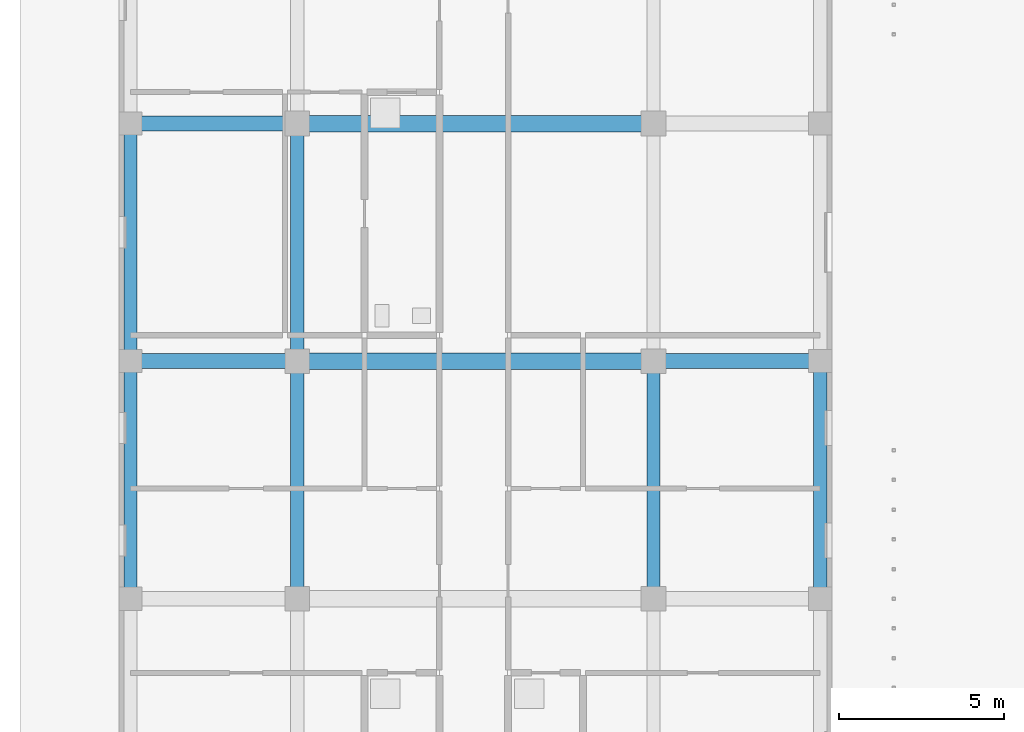
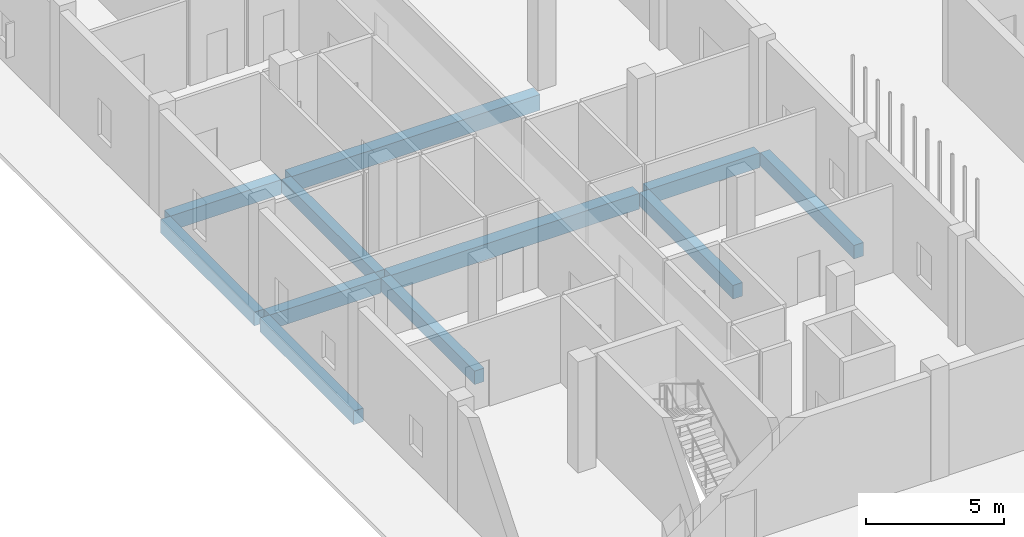
# One storey, part 5 of 85: 11 beams.
"""IFC4 building model written with IfcOpenShell, lengths in metres."""

import ifcopenshell
import ifcopenshell.guid

model = None  # the IFC model being written
_history = None  # IfcOwnerHistory: only IFC2X3 demands one
_inside = {}  # id of a spatial element -> (the spatial element, [elements in it])
_under = {}  # id of a project, library or spatial element -> (it, [spatial elements below it])
_declared = {}  # id of a project -> (the project, [libraries it declares])
_typed = {}  # id of a type object -> (the type object, [elements of that type])
_made_of = {}  # id of a material, layer set ... -> (it, [elements and type objects made of it])


def new_model(schema):
    """Start an empty IFC model of exactly this schema.

    Asked for "IFC4X3", IfcOpenShell would pick the latest addendum, in which some entities
    have other attributes; the version numbers below select the first issue.
    IFC2X3 requires an IfcOwnerHistory on every rooted entity: one is made here for all.
    """
    global model, _history
    if schema == "IFC4X3":
        model = ifcopenshell.file(schema_version=(4, 3, 0, 0))
    else:
        model = ifcopenshell.file(schema=schema)
    _inside.clear()
    _under.clear()
    _declared.clear()
    _typed.clear()
    _made_of.clear()
    _history = None
    if model.schema == "IFC2X3":
        org = make("IfcOrganization", Name="unknown")
        user = make(
            "IfcPersonAndOrganization",
            ThePerson=make("IfcPerson", FamilyName="unknown"),
            TheOrganization=org,
        )
        app = make(
            "IfcApplication",
            ApplicationDeveloper=org,
            Version="unknown",
            ApplicationFullName="unknown",
            ApplicationIdentifier="unknown",
        )
        _history = make(
            "IfcOwnerHistory",
            OwningUser=user,
            OwningApplication=app,
            ChangeAction="ADDED",
            CreationDate=0,
        )
    return model


def make(cls, **values):
    """One entity of the class cls with the attributes given. An attribute that is None is left unset."""
    return model.create_entity(
        cls, **{name: value for name, value in values.items() if value is not None}
    )


def rooted(cls, **values):
    """An entity with a GlobalId (a new one), such as an element, a storey or a relation."""
    return make(cls, GlobalId=ifcopenshell.guid.new(), OwnerHistory=_history, **values)


def si_unit(unit_type, name, prefix=None):
    """IfcSIUnit, for example si_unit("LENGTHUNIT", "METRE", prefix="MILLI")."""
    return make("IfcSIUnit", UnitType=unit_type, Prefix=prefix, Name=name)


def derived_unit(unit_type, elements):
    """IfcDerivedUnit: a product of units, each with its exponent."""
    return make(
        "IfcDerivedUnit",
        Elements=[
            make("IfcDerivedUnitElement", Unit=unit, Exponent=power)
            for unit, power in elements
        ],
        UnitType=unit_type,
    )


def assignment(units):
    """IfcUnitAssignment: the units of a project."""
    return None if units is None else make("IfcUnitAssignment", Units=units)


def point(xyz):
    """IfcCartesianPoint."""
    return None if xyz is None else make("IfcCartesianPoint", Coordinates=xyz)


def direction(xyz):
    """IfcDirection."""
    return None if xyz is None else make("IfcDirection", DirectionRatios=xyz)


def frame(location, z_axis=None, x_axis=None):
    """IfcAxis2Placement3D, a coordinate frame: its origin and axes. An axis left out is left unset."""
    return make(
        "IfcAxis2Placement3D",
        Location=point(location),
        Axis=direction(z_axis),
        RefDirection=direction(x_axis),
    )


def frame_2d(location, x_axis=None):
    """IfcAxis2Placement2D, a coordinate frame in the plane: its origin and x axis."""
    return make(
        "IfcAxis2Placement2D", Location=point(location), RefDirection=direction(x_axis)
    )


def origin():
    """The frame at (0, 0, 0) with its axes left unset."""
    return frame((0.0, 0.0, 0.0))


def origin_2d():
    """The frame at (0, 0) in the plane with its x axis left unset."""
    return frame_2d((0.0, 0.0))


def place(relative_to, where):
    """IfcLocalPlacement: puts the frame where relative to a parent placement (None: the world)."""
    return make(
        "IfcLocalPlacement", PlacementRelTo=relative_to, RelativePlacement=where
    )


def context(
    kind, dimensions, precision=None, world=None, true_north=None, identifier=None
):
    """IfcGeometricRepresentationContext, for example the 3D "Model" context."""
    return make(
        "IfcGeometricRepresentationContext",
        ContextIdentifier=identifier,
        ContextType=kind,
        CoordinateSpaceDimension=dimensions,
        Precision=precision,
        WorldCoordinateSystem=world,
        TrueNorth=true_north,
    )


def subcontext(parent, identifier, kind, view, scale=None):
    """IfcGeometricRepresentationSubContext, for example "Body" below "Model"."""
    return make(
        "IfcGeometricRepresentationSubContext",
        ContextIdentifier=identifier,
        ContextType=kind,
        ParentContext=parent,
        TargetScale=scale,
        TargetView=view,
    )


def project(units=None, contexts=None):
    """IfcProject with its units and contexts."""
    return rooted(
        "IfcProject",
        Name="project",
        RepresentationContexts=contexts,
        UnitsInContext=assignment(units),
    )


def spatial(cls, under=None, at=None, **own):
    """A site, building, storey or space (cls), placed at a placement, below another one or the project."""
    s = rooted(cls, ObjectPlacement=at, **own)
    if under is not None:
        _under.setdefault(under.id(), (under, []))[1].append(s)
    return s


def profile(cls, at=None, kind="AREA", **sizes):
    """A parametric profile (cls). Its sizes go by their IFC names, for example OverallWidth=200.0."""
    return make(cls, ProfileType=kind, Position=at, **sizes)


def rectangle(**sizes):
    """IfcRectangleProfileDef."""
    return profile("IfcRectangleProfileDef", **sizes)


def extrude(swept, where, along, depth):
    """IfcExtrudedAreaSolid: the profile swept, set in the frame where, extruded along a direction by depth."""
    return make(
        "IfcExtrudedAreaSolid",
        SweptArea=swept,
        Position=where,
        ExtrudedDirection=direction(along),
        Depth=depth,
    )


def shape(context_of_items, identifier, shape_type, items):
    """IfcShapeRepresentation: the items that make up one representation, for example the "Body"."""
    return make(
        "IfcShapeRepresentation",
        ContextOfItems=context_of_items,
        RepresentationIdentifier=identifier,
        RepresentationType=shape_type,
        Items=items,
    )


def material(Name=None, Category=None):
    """IfcMaterial."""
    return make("IfcMaterial", Name=Name, Category=Category)


def material_profile(
    of_material, cross_section, Name=None, Category=None, Priority=None
):
    """IfcMaterialProfile: a cross section and its material."""
    return make(
        "IfcMaterialProfile",
        Name=Name,
        Material=of_material,
        Profile=cross_section,
        Priority=Priority,
        Category=Category,
    )


def profile_set(profiles, Name=None, composite=None):
    """IfcMaterialProfileSet."""
    return make(
        "IfcMaterialProfileSet",
        Name=Name,
        MaterialProfiles=profiles,
        CompositeProfile=composite,
    )


def made_of(thing, what):
    """Note that an element or type object is made of a material, layer set ...; save() writes the relation."""
    if what is not None:
        _made_of.setdefault(what.id(), (what, []))[1].append(thing)
    return thing


def type_object(cls, material=None, **own):
    """A type object (cls), such as IfcWallType, which elements share."""
    return made_of(rooted(cls, **own), material)


def element(
    cls,
    number,
    at=None,
    inside=None,
    cuts=None,
    type_object=None,
    material=None,
    context=None,
    identifier="Body",
    shape_type=None,
    held_by="IfcProductDefinitionShape",
    body=None,
    shapes=None,
    **own,
):
    """One element of the class cls, such as IfcWall. Its Tag is "e" and its number.

    at: its placement. inside: the storey or other place that contains it. cuts: it is an
    opening in that element (IfcRelVoidsElement). A single representation is given by context,
    identifier, shape_type and body (its items); several are given by shapes. held_by: the class
    of the entity that holds the representations. save() writes the other relations.
    """
    e = rooted(cls, Tag="e%d" % number, ObjectPlacement=at, **own)
    if body is not None:
        shapes = [shape(context, identifier, shape_type, body)]
    if shapes is not None:
        e.Representation = make(held_by, Representations=shapes)
    if inside is not None:
        _inside.setdefault(inside.id(), (inside, []))[1].append(e)
    if cuts is not None:
        rooted(
            "IfcRelVoidsElement", RelatingBuildingElement=cuts, RelatedOpeningElement=e
        )
    if type_object is not None:
        _typed.setdefault(type_object.id(), (type_object, []))[1].append(e)
    return made_of(e, material)


def aggregate(whole, parts):
    """IfcRelAggregates: a whole, such as a stair, and the parts it consists of."""
    return rooted("IfcRelAggregates", RelatingObject=whole, RelatedObjects=parts)


def save(model, path):
    """Write the relations noted so far, then the file.

    IfcRelAggregates (storeys below a building ...), IfcRelContainedInSpatialStructure (elements
    in a storey), IfcRelDefinesByType, IfcRelAssociatesMaterial and IfcRelDeclares: one each for
    every whole, place, type object, material and project.
    """
    for whole, parts in _under.values():
        aggregate(whole, parts)
    for where, things in _inside.values():
        rooted(
            "IfcRelContainedInSpatialStructure",
            RelatedElements=things,
            RelatingStructure=where,
        )
    for kind, things in _typed.values():
        rooted("IfcRelDefinesByType", RelatedObjects=things, RelatingType=kind)
    for what, things in _made_of.values():
        rooted("IfcRelAssociatesMaterial", RelatedObjects=things, RelatingMaterial=what)
    for by, libraries in _declared.values():
        rooted("IfcRelDeclares", RelatingContext=by, RelatedDefinitions=libraries)
    model.write(path)


model = new_model("IFC4")

# Units and contexts
model_context = context("Model", 3, precision=1e-05, world=origin(), true_north=direction((0.0, 1.0)))
body_context = subcontext(model_context, "Body", "Model", "MODEL_VIEW")
ifc_project = project(units=[si_unit("LENGTHUNIT", "METRE"), si_unit("AREAUNIT", "SQUARE_METRE"), si_unit("VOLUMEUNIT", "CUBIC_METRE"), si_unit("PLANEANGLEUNIT", "RADIAN"), si_unit("MASSUNIT", "GRAM", prefix="KILO"), derived_unit("THERMALTRANSMITTANCEUNIT", [(si_unit("MASSUNIT", "GRAM", prefix="KILO"), 1), (si_unit("TIMEUNIT", "SECOND"), -3), (si_unit("THERMODYNAMICTEMPERATUREUNIT", "KELVIN"), -1)])], contexts=[model_context])

# Site, building, storey
site_placement = place(None, origin())
site = spatial("IfcSite", under=ifc_project, at=site_placement, CompositionType="ELEMENT")
building_placement = place(site_placement, origin())
building = spatial("IfcBuilding", under=site, at=building_placement, Name="Ochrekiln Boulevard Commons", CompositionType="ELEMENT")
storey_placement = place(building_placement, origin())
storey = spatial("IfcBuildingStorey", under=building, at=storey_placement, Name="L00", CompositionType="ELEMENT", Elevation=0.0)

# Beams
ifc_material_1 = material(Name="Concrete C35/45", Category="concrete")
ifc_material_profile_1 = material_profile(ifc_material_1, rectangle(XDim=0.39990234375, YDim=0.60009765625, at=origin_2d()), Name="RC-BM-400x600")
ifc_profile_set_1 = profile_set([ifc_material_profile_1], Name="Concrete C35/45")
beam_type_1 = type_object("IfcBeamType", Name="BM-RC-400x600", PredefinedType="BEAM", material=ifc_profile_set_1)
beam_1_placement = place(storey_placement, frame((0.35009765625, 14.610107421875, -0.580078125), z_axis=(0.0, 1.0, 0.0), x_axis=(-1.0, 0.0, 0.0)))
element("IfcBeam", 1, at=beam_1_placement, inside=storey, type_object=beam_type_1, Name="Block D L00 Beam B-4060 Y25", PredefinedType="BEAM", context=body_context, shape_type="SweptSolid", body=[
    extrude(rectangle(XDim=0.39990234375, YDim=0.60009765625, at=origin_2d()), origin(), (0.0, 0.0, 1.0), 6.77978515625),
])
beam_2_placement = place(storey_placement, frame((0.35009765625, 21.81005859375, -0.580078125), z_axis=(0.0, 1.0, 0.0), x_axis=(-1.0, 0.0, 0.0)))
element("IfcBeam", 2, at=beam_2_placement, inside=storey, type_object=beam_type_1, Name="Block D L00 Beam B-4060 Y26", PredefinedType="BEAM", context=body_context, shape_type="SweptSolid", body=[
    extrude(rectangle(XDim=0.39990234375, YDim=0.60009765625, at=origin_2d()), origin(), (0.0, 0.0, 1.0), 6.780029296875),
])
beam_3_placement = place(storey_placement, frame((5.39990234375, 14.610107421875, -0.580078125), z_axis=(0.0, 1.0, 0.0), x_axis=(-1.0, 0.0, 0.0)))
element("IfcBeam", 3, at=beam_3_placement, inside=storey, type_object=beam_type_1, Name="Block D L00 Beam B-4060 Y32", PredefinedType="BEAM", context=body_context, shape_type="SweptSolid", body=[
    extrude(rectangle(XDim=0.39990234375, YDim=0.60009765625, at=origin_2d()), origin(), (0.0, 0.0, 1.0), 6.77978515625),
])
beam_4_placement = place(storey_placement, frame((5.39990234375, 21.81005859375, -0.580078125), z_axis=(0.0, 1.0, 0.0), x_axis=(-1.0, 0.0, 0.0)))
element("IfcBeam", 4, at=beam_4_placement, inside=storey, type_object=beam_type_1, Name="Block D L00 Beam B-4060 Y33", PredefinedType="BEAM", context=body_context, shape_type="SweptSolid", body=[
    extrude(rectangle(XDim=0.39990234375, YDim=0.60009765625, at=origin_2d()), origin(), (0.0, 0.0, 1.0), 6.780029296875),
])
for number, where, z_axis, x_axis, name in (
    (5, (16.199951171875, 14.610107421875, -0.580078125), (0.0, 1.0, 0.0), (-1.0, 0.0, 0.0), "Block D L00 Beam B-4060 Y39"),
    (6, (21.25, 14.610107421875, -0.580078125), (0.0, 1.0, 0.0), (-1.0, 0.0, 0.0), "Block D L00 Beam B-4060 Y46"),
):
    element("IfcBeam", number, at=place(storey_placement, frame(where, z_axis=z_axis, x_axis=x_axis)), inside=storey, type_object=beam_type_1, Name=name, PredefinedType="BEAM", context=body_context, shape_type="SweptSolid", body=[
        extrude(rectangle(XDim=0.39990234375, YDim=0.60009765625, at=origin_2d()), origin(), (0.0, 0.0, 1.0), 6.77978515625),
    ])
ifc_material_profile_2 = material_profile(ifc_material_1, rectangle(XDim=0.449951171875, YDim=0.64990234375, at=origin_2d()), Name="RC-BM-450x650")
ifc_profile_set_2 = profile_set([ifc_material_profile_2], Name="Concrete C35/45")
beam_type_2 = type_object("IfcBeamType", Name="BM-RC-450x650", PredefinedType="BEAM", material=ifc_profile_set_2)
beam_5_placement = place(storey_placement, frame((0.56005859375, 21.60009765625, -0.60498046875), z_axis=(1.0, 0.0, 0.0), x_axis=(0.0, 1.0, 0.0)))
element("IfcBeam", 7, at=beam_5_placement, inside=storey, type_object=beam_type_2, Name="Block D L00 Beam B-4565 X9", PredefinedType="BEAM", context=body_context, shape_type="SweptSolid", body=[
    extrude(rectangle(XDim=0.449951171875, YDim=0.64990234375, at=origin_2d()), origin(), (0.0, 0.0, 1.0), 4.6298828125),
])
beam_6_placement = place(storey_placement, frame((16.409912109375, 21.60009765625, -0.60498046875), z_axis=(1.0, 0.0, 0.0), x_axis=(0.0, 1.0, 0.0)))
element("IfcBeam", 8, at=beam_6_placement, inside=storey, type_object=beam_type_2, Name="Block D L00 Beam B-4565 X11", PredefinedType="BEAM", context=body_context, shape_type="SweptSolid", body=[
    extrude(rectangle(XDim=0.449951171875, YDim=0.64990234375, at=origin_2d()), origin(), (0.0, 0.0, 1.0), 4.630126953125),
])
beam_7_placement = place(storey_placement, frame((0.56005859375, 28.800048828125, -0.60498046875), z_axis=(1.0, 0.0, 0.0), x_axis=(0.0, 1.0, 0.0)))
element("IfcBeam", 9, at=beam_7_placement, inside=storey, type_object=beam_type_2, Name="Block D L00 Beam B-4565 X12", PredefinedType="BEAM", context=body_context, shape_type="SweptSolid", body=[
    extrude(rectangle(XDim=0.449951171875, YDim=0.64990234375, at=origin_2d()), origin(), (0.0, 0.0, 1.0), 4.6298828125),
])
ifc_material_2 = material(Name="Concrete C40/50", Category="concrete")
ifc_material_profile_3 = material_profile(ifc_material_2, rectangle(XDim=0.5, YDim=0.699951171875, at=origin_2d()), Name="RC-BM-500x700")
ifc_profile_set_3 = profile_set([ifc_material_profile_3], Name="Concrete C40/50")
beam_type_3 = type_object("IfcBeamType", Name="BM-RC-500x700", PredefinedType="BEAM", material=ifc_profile_set_3)
for number, where, z_axis, x_axis, name in (
    (10, (5.610107421875, 21.60009765625, -0.6298828125), (1.0, 0.0, 0.0), (0.0, 1.0, 0.0), "Block D L00 Beam B-5070 X10"),
    (11, (5.610107421875, 28.800048828125, -0.6298828125), (1.0, 0.0, 0.0), (0.0, 1.0, 0.0), "Block D L00 Beam B-5070 X13"),
):
    element("IfcBeam", number, at=place(storey_placement, frame(where, z_axis=z_axis, x_axis=x_axis)), inside=storey, type_object=beam_type_3, Name=name, PredefinedType="BEAM", context=body_context, shape_type="SweptSolid", body=[
        extrude(rectangle(XDim=0.5, YDim=0.699951171875, at=origin_2d()), origin(), (0.0, 0.0, 1.0), 10.3798828125),
    ])

save(model, "model.ifc")
